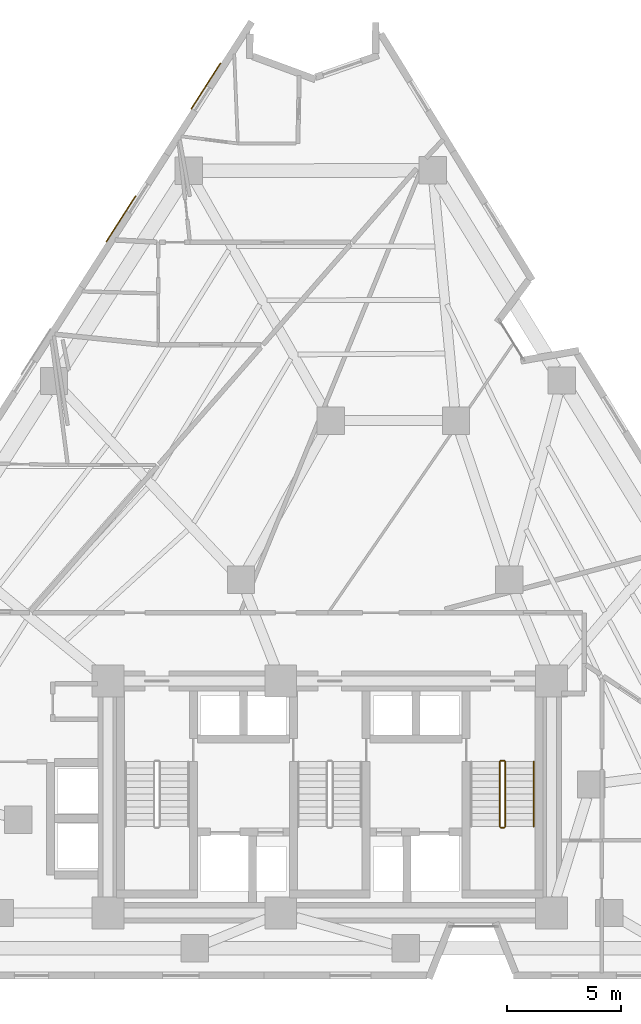
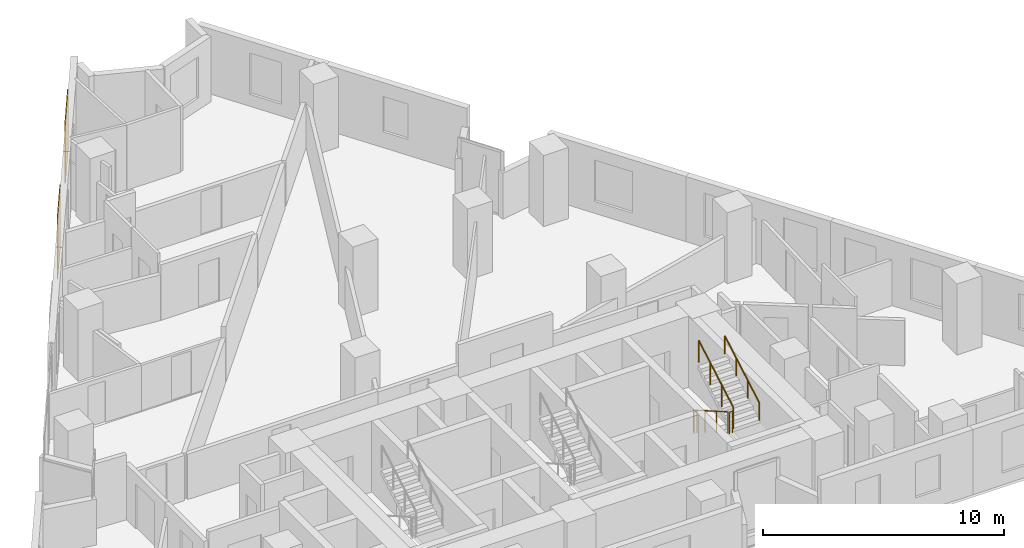
# One storey, part 13 of 13: 5 railings, 2 coverings.
"""IFC4 building model written with IfcOpenShell, lengths in metres."""

import ifcopenshell
import ifcopenshell.guid

model = None  # the IFC model being written
_history = None  # IfcOwnerHistory: only IFC2X3 demands one
_inside = {}  # id of a spatial element -> (the spatial element, [elements in it])
_under = {}  # id of a project, library or spatial element -> (it, [spatial elements below it])
_declared = {}  # id of a project -> (the project, [libraries it declares])
_typed = {}  # id of a type object -> (the type object, [elements of that type])
_made_of = {}  # id of a material, layer set ... -> (it, [elements and type objects made of it])


def new_model(schema):
    """Start an empty IFC model of exactly this schema.

    Asked for "IFC4X3", IfcOpenShell would pick the latest addendum, in which some entities
    have other attributes; the version numbers below select the first issue.
    IFC2X3 requires an IfcOwnerHistory on every rooted entity: one is made here for all.
    """
    global model, _history
    if schema == "IFC4X3":
        model = ifcopenshell.file(schema_version=(4, 3, 0, 0))
    else:
        model = ifcopenshell.file(schema=schema)
    _inside.clear()
    _under.clear()
    _declared.clear()
    _typed.clear()
    _made_of.clear()
    _history = None
    if model.schema == "IFC2X3":
        org = make("IfcOrganization", Name="unknown")
        user = make(
            "IfcPersonAndOrganization",
            ThePerson=make("IfcPerson", FamilyName="unknown"),
            TheOrganization=org,
        )
        app = make(
            "IfcApplication",
            ApplicationDeveloper=org,
            Version="unknown",
            ApplicationFullName="unknown",
            ApplicationIdentifier="unknown",
        )
        _history = make(
            "IfcOwnerHistory",
            OwningUser=user,
            OwningApplication=app,
            ChangeAction="ADDED",
            CreationDate=0,
        )
    return model


def make(cls, **values):
    """One entity of the class cls with the attributes given. An attribute that is None is left unset."""
    return model.create_entity(
        cls, **{name: value for name, value in values.items() if value is not None}
    )


def rooted(cls, **values):
    """An entity with a GlobalId (a new one), such as an element, a storey or a relation."""
    return make(cls, GlobalId=ifcopenshell.guid.new(), OwnerHistory=_history, **values)


def si_unit(unit_type, name, prefix=None):
    """IfcSIUnit, for example si_unit("LENGTHUNIT", "METRE", prefix="MILLI")."""
    return make("IfcSIUnit", UnitType=unit_type, Prefix=prefix, Name=name)


def assignment(units):
    """IfcUnitAssignment: the units of a project."""
    return None if units is None else make("IfcUnitAssignment", Units=units)


def point(xyz):
    """IfcCartesianPoint."""
    return None if xyz is None else make("IfcCartesianPoint", Coordinates=xyz)


def direction(xyz):
    """IfcDirection."""
    return None if xyz is None else make("IfcDirection", DirectionRatios=xyz)


def frame(location, z_axis=None, x_axis=None):
    """IfcAxis2Placement3D, a coordinate frame: its origin and axes. An axis left out is left unset."""
    return make(
        "IfcAxis2Placement3D",
        Location=point(location),
        Axis=direction(z_axis),
        RefDirection=direction(x_axis),
    )


def frame_2d(location, x_axis=None):
    """IfcAxis2Placement2D, a coordinate frame in the plane: its origin and x axis."""
    return make(
        "IfcAxis2Placement2D", Location=point(location), RefDirection=direction(x_axis)
    )


def origin():
    """The frame at (0, 0, 0) with its axes left unset."""
    return frame((0.0, 0.0, 0.0))


def origin_2d():
    """The frame at (0, 0) in the plane with its x axis left unset."""
    return frame_2d((0.0, 0.0))


def place(relative_to, where):
    """IfcLocalPlacement: puts the frame where relative to a parent placement (None: the world)."""
    return make(
        "IfcLocalPlacement", PlacementRelTo=relative_to, RelativePlacement=where
    )


def context(
    kind, dimensions, precision=None, world=None, true_north=None, identifier=None
):
    """IfcGeometricRepresentationContext, for example the 3D "Model" context."""
    return make(
        "IfcGeometricRepresentationContext",
        ContextIdentifier=identifier,
        ContextType=kind,
        CoordinateSpaceDimension=dimensions,
        Precision=precision,
        WorldCoordinateSystem=world,
        TrueNorth=true_north,
    )


def subcontext(parent, identifier, kind, view, scale=None):
    """IfcGeometricRepresentationSubContext, for example "Body" below "Model"."""
    return make(
        "IfcGeometricRepresentationSubContext",
        ContextIdentifier=identifier,
        ContextType=kind,
        ParentContext=parent,
        TargetScale=scale,
        TargetView=view,
    )


def project(units=None, contexts=None):
    """IfcProject with its units and contexts."""
    return rooted(
        "IfcProject",
        Name="project",
        RepresentationContexts=contexts,
        UnitsInContext=assignment(units),
    )


def spatial(cls, under=None, at=None, **own):
    """A site, building, storey or space (cls), placed at a placement, below another one or the project."""
    s = rooted(cls, ObjectPlacement=at, **own)
    if under is not None:
        _under.setdefault(under.id(), (under, []))[1].append(s)
    return s


def profile(cls, at=None, kind="AREA", **sizes):
    """A parametric profile (cls). Its sizes go by their IFC names, for example OverallWidth=200.0."""
    return make(cls, ProfileType=kind, Position=at, **sizes)


def rectangle(**sizes):
    """IfcRectangleProfileDef."""
    return profile("IfcRectangleProfileDef", **sizes)


def circle(**sizes):
    """IfcCircleProfileDef."""
    return profile("IfcCircleProfileDef", **sizes)


def extrude(swept, where, along, depth):
    """IfcExtrudedAreaSolid: the profile swept, set in the frame where, extruded along a direction by depth."""
    return make(
        "IfcExtrudedAreaSolid",
        SweptArea=swept,
        Position=where,
        ExtrudedDirection=direction(along),
        Depth=depth,
    )


def shape(context_of_items, identifier, shape_type, items):
    """IfcShapeRepresentation: the items that make up one representation, for example the "Body"."""
    return make(
        "IfcShapeRepresentation",
        ContextOfItems=context_of_items,
        RepresentationIdentifier=identifier,
        RepresentationType=shape_type,
        Items=items,
    )


def material(Name=None, Category=None):
    """IfcMaterial."""
    return make("IfcMaterial", Name=Name, Category=Category)


def layer(
    of_material, thickness, ventilated=None, Name=None, Category=None, Priority=None
):
    """IfcMaterialLayer: one layer of a wall or slab, of a material (None: an air gap)."""
    return make(
        "IfcMaterialLayer",
        Material=of_material,
        LayerThickness=thickness,
        IsVentilated=ventilated,
        Name=Name,
        Category=Category,
        Priority=Priority,
    )


def layer_set(layers, Name=None):
    """IfcMaterialLayerSet."""
    return make("IfcMaterialLayerSet", MaterialLayers=layers, LayerSetName=Name)


def made_of(thing, what):
    """Note that an element or type object is made of a material, layer set ...; save() writes the relation."""
    if what is not None:
        _made_of.setdefault(what.id(), (what, []))[1].append(thing)
    return thing


def type_object(cls, material=None, **own):
    """A type object (cls), such as IfcWallType, which elements share."""
    return made_of(rooted(cls, **own), material)


def element(
    cls,
    number,
    at=None,
    inside=None,
    cuts=None,
    type_object=None,
    material=None,
    context=None,
    identifier="Body",
    shape_type=None,
    held_by="IfcProductDefinitionShape",
    body=None,
    shapes=None,
    **own,
):
    """One element of the class cls, such as IfcWall. Its Tag is "e" and its number.

    at: its placement. inside: the storey or other place that contains it. cuts: it is an
    opening in that element (IfcRelVoidsElement). A single representation is given by context,
    identifier, shape_type and body (its items); several are given by shapes. held_by: the class
    of the entity that holds the representations. save() writes the other relations.
    """
    e = rooted(cls, Tag="e%d" % number, ObjectPlacement=at, **own)
    if body is not None:
        shapes = [shape(context, identifier, shape_type, body)]
    if shapes is not None:
        e.Representation = make(held_by, Representations=shapes)
    if inside is not None:
        _inside.setdefault(inside.id(), (inside, []))[1].append(e)
    if cuts is not None:
        rooted(
            "IfcRelVoidsElement", RelatingBuildingElement=cuts, RelatedOpeningElement=e
        )
    if type_object is not None:
        _typed.setdefault(type_object.id(), (type_object, []))[1].append(e)
    return made_of(e, material)


def aggregate(whole, parts):
    """IfcRelAggregates: a whole, such as a stair, and the parts it consists of."""
    return rooted("IfcRelAggregates", RelatingObject=whole, RelatedObjects=parts)


def save(model, path):
    """Write the relations noted so far, then the file.

    IfcRelAggregates (storeys below a building ...), IfcRelContainedInSpatialStructure (elements
    in a storey), IfcRelDefinesByType, IfcRelAssociatesMaterial and IfcRelDeclares: one each for
    every whole, place, type object, material and project.
    """
    for whole, parts in _under.values():
        aggregate(whole, parts)
    for where, things in _inside.values():
        rooted(
            "IfcRelContainedInSpatialStructure",
            RelatedElements=things,
            RelatingStructure=where,
        )
    for kind, things in _typed.values():
        rooted("IfcRelDefinesByType", RelatedObjects=things, RelatingType=kind)
    for what, things in _made_of.values():
        rooted("IfcRelAssociatesMaterial", RelatedObjects=things, RelatingMaterial=what)
    for by, libraries in _declared.values():
        rooted("IfcRelDeclares", RelatingContext=by, RelatedDefinitions=libraries)
    model.write(path)


model = new_model("IFC4")

# Units and contexts
model_context = context("Model", 3, precision=1e-05, world=origin(), true_north=direction((0.0, 1.0)))
body_context = subcontext(model_context, "Body", "Model", "MODEL_VIEW")
ifc_project = project(units=[si_unit("LENGTHUNIT", "METRE"), si_unit("AREAUNIT", "SQUARE_METRE"), si_unit("VOLUMEUNIT", "CUBIC_METRE"), si_unit("PLANEANGLEUNIT", "RADIAN"), si_unit("MASSUNIT", "GRAM", prefix="KILO")], contexts=[model_context])

# Site, building, storey
site_placement = place(None, origin())
site = spatial("IfcSite", under=ifc_project, at=site_placement, CompositionType="ELEMENT")
building_placement = place(site_placement, origin())
building = spatial("IfcBuilding", under=site, at=building_placement, Name="Almagre Mirador Tower", CompositionType="ELEMENT")
storey_placement = place(building_placement, frame((0.0, 0.0, 96.60009765625)))
storey = spatial("IfcBuildingStorey", under=building, at=storey_placement, Name="L24", CompositionType="ELEMENT", Elevation=96.60009765625)

# Coverings
ifc_material_1 = material(Name="Almagre terracotta architectural cladding", Category="masonry")
ifc_layer = layer(ifc_material_1, 0.044921875)
ifc_layer_set = layer_set([ifc_layer], Name="Almagre terracotta architectural cladding")
covering_type = type_object("IfcCoveringType", Name="COV-CLAD-ALMAGRE", PredefinedType="CLADDING", material=ifc_layer_set)
for number, where, z_axis, x_axis, name in (
    (1, (28.115478515625, 35.0771484375, 0.099853515625), (0.0, 0.0, 1.0), (0.53944697543, 0.842019572635, 0.0), "L24 almagre terracotta pier cladding"),
    (2, (31.85546875, 40.914306640625, 0.099853515625), (0.0, 0.0, 1.0), (0.539461671362, 0.84201015738, 0.0), "L24 almagre terracotta pier cladding"),
):
    element("IfcCovering", number, at=place(storey_placement, frame(where, z_axis=z_axis, x_axis=x_axis)), inside=storey, type_object=covering_type, Name=name, PredefinedType="CLADDING", context=body_context, shape_type="SweptSolid", body=[
        extrude(rectangle(XDim=2.39990234375, YDim=0.044921875, at=origin_2d()), origin(), (0.0, 0.0, 1.0), 3.10009765625),
    ])

# Railings
ifc_material_2 = material(Name="Painted galvanized steel", Category="steel")
railing_type_1 = type_object("IfcRailingType", Name="RLG-GRD-1100", PredefinedType="GUARDRAIL", material=ifc_material_2)
railing_1_placement = place(storey_placement, frame((44.77490234375, 11.199951171875, 0.16357421875)))
element("IfcRailing", 3, at=railing_1_placement, inside=storey, type_object=railing_type_1, Name="L24 ST-3 stair guard 1", PredefinedType="GUARDRAIL", context=body_context, shape_type="SweptSolid", body=[
    extrude(circle(Radius=0.02392578125, at=origin_2d()), frame((0.0, 0.0, 1.09619140625), z_axis=(0.0, -0.867226363773, 0.497914082927), x_axis=(1.0, 0.0, 0.0)), (0.0, 0.0, 1.0), 3.2861328125),
    extrude(circle(Radius=0.02099609375, at=origin_2d()), origin(), (0.0, 0.0, 1.0), 1.072021484375),
    extrude(circle(Radius=0.02099609375, at=origin_2d()), frame((0.0, -0.949951171875, 0.54541015625)), (0.0, 0.0, 1.0), 1.072021484375),
    extrude(circle(Radius=0.02099609375, at=origin_2d()), frame((0.0, -1.89990234375, 1.0908203125)), (0.0, 0.0, 1.0), 1.072021484375),
    extrude(circle(Radius=0.02099609375, at=origin_2d()), frame((0.0, -2.849853515625, 1.63623046875)), (0.0, 0.0, 1.0), 1.072021484375),
])
railing_2_placement = place(storey_placement, frame((44.824951171875, 8.300048828125, 1.7998046875)))
element("IfcRailing", 4, at=railing_2_placement, inside=storey, type_object=railing_type_1, Name="L24 ST-3 stair guard 2", PredefinedType="GUARDRAIL", context=body_context, shape_type="SweptSolid", body=[
    extrude(circle(Radius=0.02392578125, at=origin_2d()), frame((0.0, 0.0, 1.09619140625), z_axis=(1.0, 0.0, 0.0), x_axis=(0.0, 1.0, 0.0)), (0.0, 0.0, 1.0), 0.150146484375),
    extrude(circle(Radius=0.02099609375, at=origin_2d()), origin(), (0.0, 0.0, 1.0), 1.072021484375),
    extrude(circle(Radius=0.02099609375, at=origin_2d()), frame((0.150146484375, 0.0, 0.0)), (0.0, 0.0, 1.0), 1.072021484375),
])
railing_3_placement = place(storey_placement, frame((45.02490234375, 8.35009765625, 1.963623046875)))
element("IfcRailing", 5, at=railing_3_placement, inside=storey, type_object=railing_type_1, Name="L24 ST-3 stair guard 3", PredefinedType="GUARDRAIL", context=body_context, shape_type="SweptSolid", body=[
    extrude(circle(Radius=0.02392578125, at=origin_2d()), frame((0.0, 0.0, 1.09619140625), z_axis=(0.0, 0.867226363773, 0.497914082927), x_axis=(-1.0, 0.0, 0.0)), (0.0, 0.0, 1.0), 3.2861328125),
    extrude(circle(Radius=0.02099609375, at=origin_2d()), origin(), (0.0, 0.0, 1.0), 1.072021484375),
    extrude(circle(Radius=0.02099609375, at=origin_2d()), frame((0.0, 0.949951171875, 0.54541015625)), (0.0, 0.0, 1.0), 1.072021484375),
    extrude(circle(Radius=0.02099609375, at=origin_2d()), frame((0.0, 1.89990234375, 1.0908203125)), (0.0, 0.0, 1.0), 1.072021484375),
    extrude(circle(Radius=0.02099609375, at=origin_2d()), frame((0.0, 2.849853515625, 1.63623046875)), (0.0, 0.0, 1.0), 1.072021484375),
])
railing_4_placement = place(storey_placement, frame((44.824951171875, 11.25, 0.0)))
element("IfcRailing", 6, at=railing_4_placement, inside=storey, type_object=railing_type_1, Name="L24 ST-3 stair guard 4", PredefinedType="GUARDRAIL", context=body_context, shape_type="SweptSolid", body=[
    extrude(circle(Radius=0.02392578125, at=origin_2d()), frame((0.0, 0.0, 1.09619140625), z_axis=(1.0, 0.0, 0.0), x_axis=(0.0, 1.0, 0.0)), (0.0, 0.0, 1.0), 0.150146484375),
    extrude(circle(Radius=0.02099609375, at=origin_2d()), origin(), (0.0, 0.0, 1.0), 1.072021484375),
    extrude(circle(Radius=0.02099609375, at=origin_2d()), frame((0.150146484375, 0.0, 0.0)), (0.0, 0.0, 1.0), 1.072021484375),
])
ifc_material_3 = material(Name="Brushed stainless steel", Category="steel")
railing_type_2 = type_object("IfcRailingType", Name="RLG-HND-915", PredefinedType="HANDRAIL", material=ifc_material_3)
railing_5_placement = place(storey_placement, frame((46.27490234375, 8.35009765625, 1.963623046875)))
element("IfcRailing", 7, at=railing_5_placement, inside=storey, type_object=railing_type_2, Name="L24 ST-3 stair handrail 2", PredefinedType="HANDRAIL", context=body_context, shape_type="SweptSolid", body=[
    extrude(circle(Radius=0.02392578125, at=origin_2d()), frame((0.0, 0.0, 0.89111328125), z_axis=(0.0, 0.867226363773, 0.497914082927), x_axis=(-1.0, 0.0, 0.0)), (0.0, 0.0, 1.0), 3.2861328125),
    extrude(circle(Radius=0.02099609375, at=origin_2d()), origin(), (0.0, 0.0, 1.0), 0.866943359375),
    extrude(circle(Radius=0.02099609375, at=origin_2d()), frame((0.0, 0.949951171875, 0.54541015625)), (0.0, 0.0, 1.0), 0.866943359375),
    extrude(circle(Radius=0.02099609375, at=origin_2d()), frame((0.0, 1.89990234375, 1.0908203125)), (0.0, 0.0, 1.0), 0.866943359375),
    extrude(circle(Radius=0.02099609375, at=origin_2d()), frame((0.0, 2.849853515625, 1.63623046875)), (0.0, 0.0, 1.0), 0.866943359375),
])

save(model, "model.ifc")
